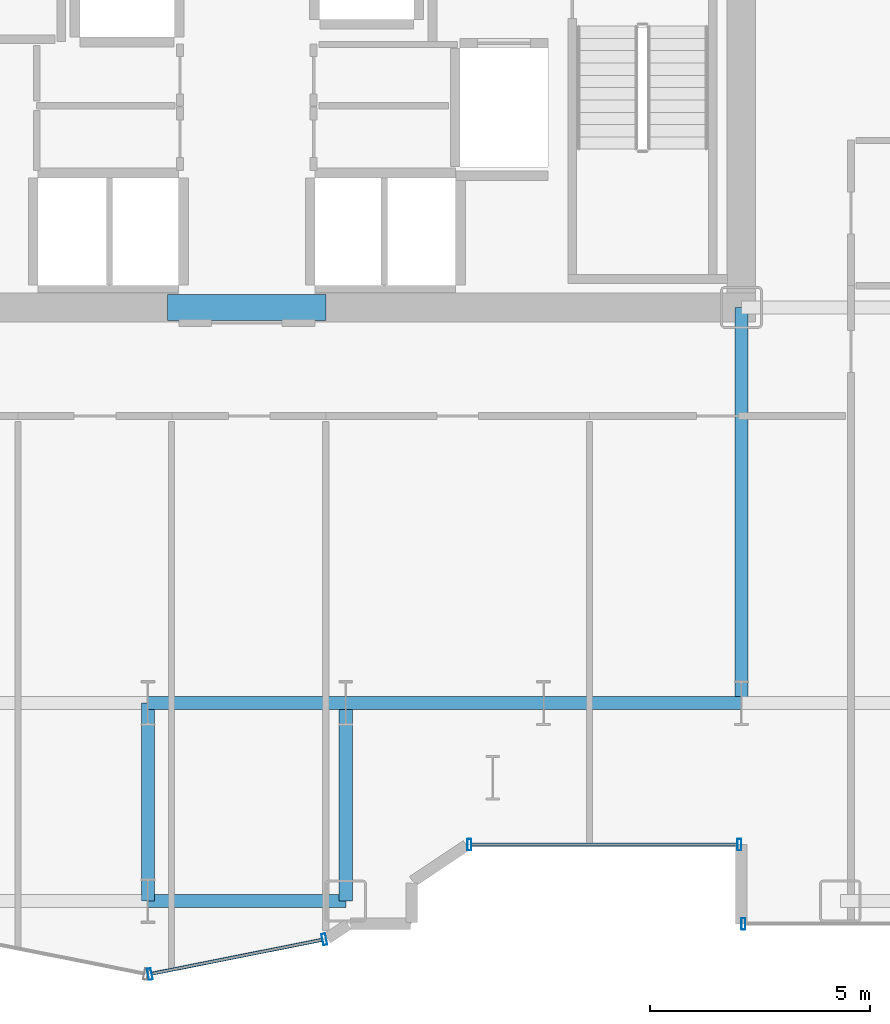
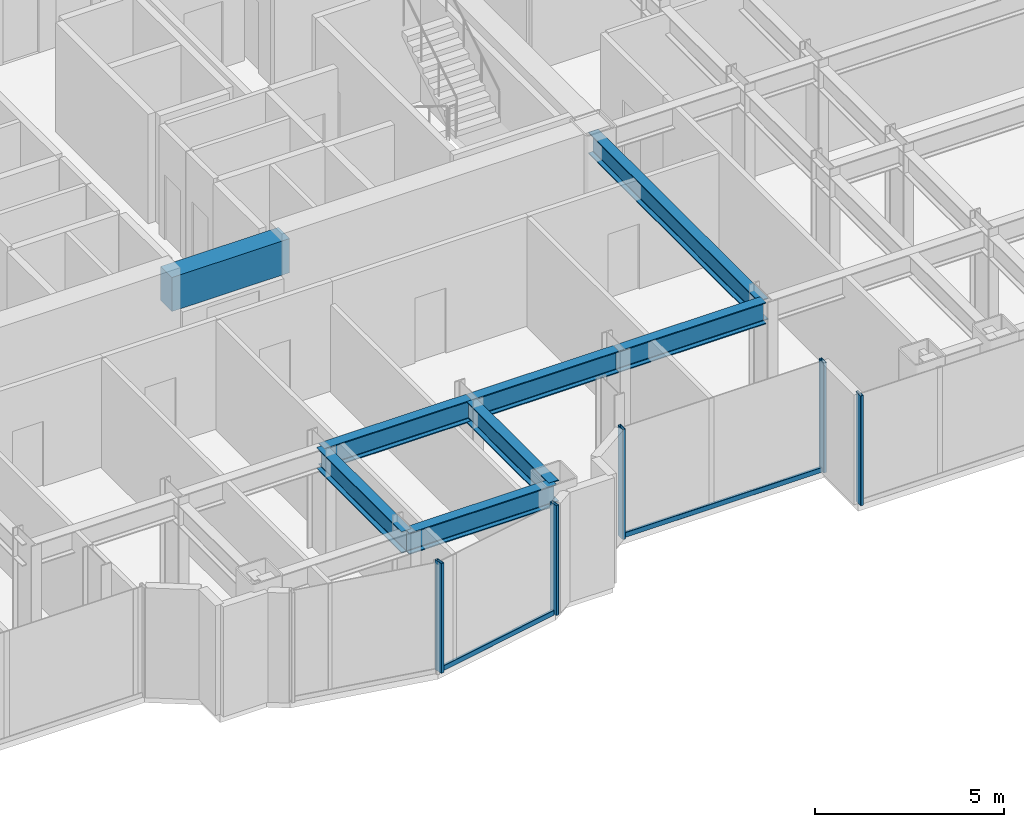
# One storey, part 6 of 26: 8 beams, 7 members, 3 elements without a shape of their own.
"""IFC4 building model written with IfcOpenShell, lengths in metres."""

from ifc_helpers import new_model, si_unit, direction, frame, origin, origin_2d, place, context, subcontext, project, spatial, rectangle, hollow_rectangle, i_section, extrude, source, transform, mapped, material, layer, layer_set, material_profile, profile_set, type_object, element, aggregate, save


model = new_model("IFC4")

# Units and contexts
model_context = context("Model", 3, precision=1e-05, world=origin(), true_north=direction((0.0, 1.0)))
body_context = subcontext(model_context, "Body", "Model", "MODEL_VIEW")
ifc_project = project(units=[si_unit("LENGTHUNIT", "METRE"), si_unit("AREAUNIT", "SQUARE_METRE"), si_unit("VOLUMEUNIT", "CUBIC_METRE"), si_unit("PLANEANGLEUNIT", "RADIAN"), si_unit("MASSUNIT", "GRAM", prefix="KILO")], contexts=[model_context])

# Site, building, storey
site_placement = place(None, origin())
site = spatial("IfcSite", under=ifc_project, at=site_placement, CompositionType="ELEMENT")
building_placement = place(site_placement, origin())
building = spatial("IfcBuilding", under=site, at=building_placement, Name="Nefas-Gora Pilgrimage Tower", CompositionType="ELEMENT")
storey_placement = place(building_placement, frame((0.0, 0.0, 59.60009765625)))
storey = spatial("IfcBuildingStorey", under=building, at=storey_placement, Name="L13", CompositionType="ELEMENT", Elevation=59.60009765625)

# Beams
ifc_material_1 = material(Name="Concrete C60/75", Category="concrete")
ifc_material_profile_1 = material_profile(ifc_material_1, rectangle(XDim=0.60009765625, YDim=1.10009765625, at=origin_2d()), Name="RC 600x1100")
ifc_profile_set_1 = profile_set([ifc_material_profile_1], Name="Concrete C60/75")
beam_type_1 = type_object("IfcBeamType", Name="BM-LIN-RC1100", PredefinedType="LINTEL", material=ifc_profile_set_1)
shared_shape_1 = source(origin(), body_context, "Body", "SweptSolid", [
    extrude(rectangle(XDim=0.60009765625, YDim=1.10009765625, at=origin_2d()), origin(), (0.0, 0.0, 1.0), 3.60009765625),
])
beam_1_placement = place(storey_placement, frame((-1.800048828125, -9.0, 3.0), z_axis=(1.0, 0.0, 0.0), x_axis=(0.0, 1.0, 0.0)))
element("IfcBeam", 1, at=beam_1_placement, inside=storey, type_object=beam_type_1, Name="L13 Core Coupling Lintel Beam S", PredefinedType="LINTEL", context=body_context, shape_type="MappedRepresentation", body=[
    mapped(shared_shape_1, transform((0.0, 0.0, 0.0), x_axis=(1.0, 0.0, 0.0), y_axis=(0.0, 1.0, 0.0), z_axis=(0.0, 0.0, 1.0), scale=1.0)),
])
ifc_material_2 = material(Name="Steel S355", Category="steel")
ifc_material_profile_2 = material_profile(ifc_material_2, i_section(OverallWidth=0.300048828125, OverallDepth=0.699951171875, WebThickness=0.01708984375, FlangeThickness=0.031982421875, FilletRadius=0.027099609375, at=origin_2d()), Name="HEB 700")
ifc_profile_set_2 = profile_set([ifc_material_profile_2], Name="Steel S355")
beam_type_2 = type_object("IfcBeamType", Name="BM-GIR-HEB700", PredefinedType="BEAM", material=ifc_profile_set_2)
shared_shape_2 = source(origin(), body_context, "Body", "SweptSolid", [
    extrude(i_section(OverallWidth=0.300048828125, OverallDepth=0.699951171875, WebThickness=0.01708984375, FlangeThickness=0.031982421875, FilletRadius=0.027099609375, at=origin_2d()), origin(), (0.0, 0.0, 1.0), 9.0),
])
beam_2_placement = place(storey_placement, frame((11.25, -18.0, 3.199951171875), z_axis=(0.0, 1.0, 0.0), x_axis=(-1.0, 0.0, 0.0)))
element("IfcBeam", 2, at=beam_2_placement, inside=storey, type_object=beam_type_2, Name="L13 G-02 beam", PredefinedType="BEAM", context=body_context, shape_type="MappedRepresentation", body=[
    mapped(shared_shape_2, transform((0.0, 0.0, 0.0), x_axis=(1.0, 0.0, 0.0), y_axis=(0.0, 1.0, 0.0), z_axis=(0.0, 0.0, 1.0), scale=1.0)),
])
shared_shape_3 = source(origin(), body_context, "Body", "SweptSolid", [
    extrude(i_section(OverallWidth=0.300048828125, OverallDepth=0.699951171875, WebThickness=0.01708984375, FlangeThickness=0.031982421875, FilletRadius=0.027099609375, at=origin_2d()), origin(), (0.0, 0.0, 1.0), 4.5),
])
for number, where, z_axis, x_axis, name in (
    (3, (-2.25, -22.5, 3.199951171875), (0.0, 1.0, 0.0), (-1.0, 0.0, 0.0), "L13 G-02 beam"),
    (4, (-2.25, -22.5, 3.199951171875), (1.0, 0.0, 0.0), (0.0, 1.0, 0.0), "L13 G-02 beam"),
    (5, (-2.25, -18.0, 3.199951171875), (1.0, 0.0, 0.0), (0.0, 1.0, 0.0), "L13 G-02 beam"),
    (6, (2.25, -22.5, 3.199951171875), (0.0, 1.0, 0.0), (-1.0, 0.0, 0.0), "L13 G-02 beam"),
    (7, (2.25, -18.0, 3.199951171875), (1.0, 0.0, 0.0), (0.0, 1.0, 0.0), "L13 G-02 beam"),
    (8, (6.75, -18.0, 3.199951171875), (1.0, 0.0, 0.0), (0.0, 1.0, 0.0), "L13 G-02 beam"),
):
    element("IfcBeam", number, at=place(storey_placement, frame(where, z_axis=z_axis, x_axis=x_axis)), inside=storey, type_object=beam_type_2, Name=name, PredefinedType="BEAM", context=body_context, shape_type="MappedRepresentation", body=[
        mapped(shared_shape_3, transform((0.0, 0.0, 0.0), x_axis=(1.0, 0.0, 0.0), y_axis=(0.0, 1.0, 0.0), z_axis=(0.0, 0.0, 1.0), scale=1.0)),
    ])

# Curtain wall, member
ifc_material_3 = material(Name="Dark ceramic-fritted solar-control aluminium-glass curtain wall", Category="aluminium")
ifc_layer_1 = layer(ifc_material_3, 0.219970703125)
ifc_layer_set_1 = layer_set([ifc_layer_1], Name="Dark ceramic-fritted solar-control aluminium-glass curtain wall")
curtain_wall_type_1 = type_object("IfcCurtainWallType", Name="CW-SYS-5", PredefinedType="NOTDEFINED", material=ifc_layer_set_1)
curtain_wall_1_placement = place(storey_placement, origin())
curtain_wall_1 = element("IfcCurtainWall", 9, at=curtain_wall_1_placement, inside=storey, type_object=curtain_wall_type_1, Name="L13 Unitised Curtain Wall CW5", PredefinedType="NOTDEFINED")
ifc_material_4 = material(Name="Anodised architectural aluminium", Category="aluminium")
ifc_material_profile_3 = material_profile(ifc_material_4, hollow_rectangle(XDim=0.080078125, YDim=0.159912109375, WallThickness=0.00439453125, InnerFilletRadius=0.00439453125, OuterFilletRadius=0.009033203125, at=origin_2d()), Name="ALU TRANSOM 80x160")
ifc_profile_set_3 = profile_set([ifc_material_profile_3], Name="Anodised architectural aluminium")
member_type_1 = type_object("IfcMemberType", Name="CWM-TRN-5", PredefinedType="USERDEFINED", material=ifc_profile_set_3)
shared_shape_4 = source(origin(), body_context, "Body", "SweptSolid", [
    extrude(hollow_rectangle(XDim=0.080078125, YDim=0.159912109375, WallThickness=0.00439453125, InnerFilletRadius=0.00439453125, OuterFilletRadius=0.009033203125, at=origin_2d()), origin(), (0.0, 0.0, 1.0), 6.052001953125),
])
member_1_placement = place(storey_placement, frame((5.10791015625, -21.219970703125, 0.0498046875), z_axis=(1.0, 0.0, 0.0), x_axis=(0.0, 1.0, 0.0)))
member_1 = element("IfcMember", 10, at=member_1_placement, type_object=member_type_1, Name="CW5 Spandrel Transom", ObjectType="TRANSOM", PredefinedType="USERDEFINED", context=body_context, shape_type="MappedRepresentation", body=[
    mapped(shared_shape_4, transform((0.0, 0.0, 0.0), x_axis=(1.0, 0.0, 0.0), y_axis=(0.0, 1.0, 0.0), z_axis=(0.0, 0.0, 1.0), scale=1.0)),
])

curtain_wall_2_placement = place(storey_placement, origin())
curtain_wall_2 = element("IfcCurtainWall", 11, at=curtain_wall_2_placement, inside=storey, type_object=curtain_wall_type_1, Name="L13 Unitised Curtain Wall CW5", PredefinedType="NOTDEFINED")
shared_shape_5 = source(origin(), body_context, "Body", "SweptSolid", [
    extrude(hollow_rectangle(XDim=0.080078125, YDim=0.159912109375, WallThickness=0.00439453125, InnerFilletRadius=0.00439453125, OuterFilletRadius=0.009033203125, at=origin_2d()), origin(), (0.0, 0.0, 1.0), 3.95654296875),
])
member_2_placement = place(storey_placement, frame((-2.16162109375, -24.15478515625, 0.0498046875), z_axis=(0.980781880918, 0.195107411605, 0.0), x_axis=(-0.195107411605, 0.980781880918, 0.0)))
member_2 = element("IfcMember", 12, at=member_2_placement, type_object=member_type_1, Name="CW5 Spandrel Transom", ObjectType="TRANSOM", PredefinedType="USERDEFINED", context=body_context, shape_type="MappedRepresentation", body=[
    mapped(shared_shape_5, transform((0.0, 0.0, 0.0), x_axis=(1.0, 0.0, 0.0), y_axis=(0.0, 1.0, 0.0), z_axis=(0.0, 0.0, 1.0), scale=1.0)),
])

# Member
ifc_material_profile_4 = material_profile(ifc_material_4, hollow_rectangle(XDim=0.090087890625, YDim=0.260009765625, WallThickness=0.006103515625, InnerFilletRadius=0.006103515625, OuterFilletRadius=0.011962890625, at=origin_2d()), Name="ALU MULLION 90x260")
ifc_profile_set_4 = profile_set([ifc_material_profile_4], Name="Anodised architectural aluminium")
member_type_2 = type_object("IfcMemberType", Name="CWM-MUL-5", PredefinedType="MULLION", material=ifc_profile_set_4)
shared_shape_6 = source(origin(), body_context, "Body", "SweptSolid", [
    extrude(hollow_rectangle(XDim=0.090087890625, YDim=0.260009765625, WallThickness=0.006103515625, InnerFilletRadius=0.006103515625, OuterFilletRadius=0.011962890625, at=origin_2d()), origin(), (0.0, 0.0, 1.0), 3.5498046875),
])
member_3_placement = place(storey_placement, frame((5.06298828125, -21.219970703125, 0.0), z_axis=(0.0, 0.0, 1.0), x_axis=(1.0, 0.0, 0.0)))
member_3 = element("IfcMember", 13, at=member_3_placement, type_object=member_type_2, Name="CW5 Mullion 1", PredefinedType="MULLION", context=body_context, shape_type="MappedRepresentation", body=[
    mapped(shared_shape_6, transform((0.0, 0.0, 0.0), x_axis=(1.0, 0.0, 0.0), y_axis=(0.0, 1.0, 0.0), z_axis=(0.0, 0.0, 1.0), scale=1.0)),
])

member_4_placement = place(storey_placement, frame((11.205078125, -21.219970703125, 0.0), z_axis=(0.0, 0.0, 1.0), x_axis=(1.0, 0.0, 0.0)))
member_4 = element("IfcMember", 14, at=member_4_placement, type_object=member_type_2, Name="CW5 Mullion 2", PredefinedType="MULLION", context=body_context, shape_type="MappedRepresentation", body=[
    mapped(shared_shape_6, transform((0.0, 0.0, 0.0), x_axis=(1.0, 0.0, 0.0), y_axis=(0.0, 1.0, 0.0), z_axis=(0.0, 0.0, 1.0), scale=1.0)),
])

aggregate(curtain_wall_1, [member_3, member_4, member_1])

member_5_placement = place(storey_placement, frame((-2.205810546875, -24.16357421875, 0.0), z_axis=(0.0, 0.0, 1.0), x_axis=(0.980782896852, 0.195102304554, 0.0)))
member_5 = element("IfcMember", 15, at=member_5_placement, type_object=member_type_2, Name="CW5 Mullion 1", PredefinedType="MULLION", context=body_context, shape_type="MappedRepresentation", body=[
    mapped(shared_shape_6, transform((0.0, 0.0, 0.0), x_axis=(1.0, 0.0, 0.0), y_axis=(0.0, 1.0, 0.0), z_axis=(0.0, 0.0, 1.0), scale=1.0)),
])

member_6_placement = place(storey_placement, frame((1.76318359375, -23.3740234375, 0.0), z_axis=(0.0, 0.0, 1.0), x_axis=(0.980782896852, 0.195102304554, 0.0)))
member_6 = element("IfcMember", 16, at=member_6_placement, type_object=member_type_2, Name="CW5 Mullion 2", PredefinedType="MULLION", context=body_context, shape_type="MappedRepresentation", body=[
    mapped(shared_shape_6, transform((0.0, 0.0, 0.0), x_axis=(1.0, 0.0, 0.0), y_axis=(0.0, 1.0, 0.0), z_axis=(0.0, 0.0, 1.0), scale=1.0)),
])

aggregate(curtain_wall_2, [member_5, member_6, member_2])

# Curtain wall, member
ifc_layer_2 = layer(ifc_material_3, 0.219970703125)
ifc_layer_set_2 = layer_set([ifc_layer_2], Name="Dark ceramic-fritted solar-control aluminium-glass curtain wall")
curtain_wall_type_2 = type_object("IfcCurtainWallType", Name="CW-SYS-2", PredefinedType="NOTDEFINED", material=ifc_layer_set_2)
curtain_wall_3_placement = place(storey_placement, origin())
curtain_wall_3 = element("IfcCurtainWall", 17, at=curtain_wall_3_placement, inside=storey, type_object=curtain_wall_type_2, Name="L13 Unitised Curtain Wall CW2", PredefinedType="NOTDEFINED")
ifc_material_profile_5 = material_profile(ifc_material_4, hollow_rectangle(XDim=0.090087890625, YDim=0.260009765625, WallThickness=0.006103515625, InnerFilletRadius=0.006103515625, OuterFilletRadius=0.011962890625, at=origin_2d()), Name="ALU MULLION 90x260")
ifc_profile_set_5 = profile_set([ifc_material_profile_5], Name="Anodised architectural aluminium")
member_type_3 = type_object("IfcMemberType", Name="CWM-MUL-2", PredefinedType="MULLION", material=ifc_profile_set_5)
shared_shape_7 = source(origin(), body_context, "Body", "SweptSolid", [
    extrude(hollow_rectangle(XDim=0.090087890625, YDim=0.260009765625, WallThickness=0.006103515625, InnerFilletRadius=0.006103515625, OuterFilletRadius=0.011962890625, at=origin_2d()), origin(), (0.0, 0.0, 1.0), 3.5498046875),
])
member_7_placement = place(storey_placement, frame((11.294921875, -23.02001953125, 0.0), z_axis=(0.0, 0.0, 1.0), x_axis=(1.0, 0.0, 0.0)))
member_7 = element("IfcMember", 18, at=member_7_placement, type_object=member_type_3, Name="CW2 Mullion 1", PredefinedType="MULLION", context=body_context, shape_type="MappedRepresentation", body=[
    mapped(shared_shape_7, transform((0.0, 0.0, 0.0), x_axis=(1.0, 0.0, 0.0), y_axis=(0.0, 1.0, 0.0), z_axis=(0.0, 0.0, 1.0), scale=1.0)),
])
aggregate(curtain_wall_3, [member_7])

save(model, "model.ifc")
